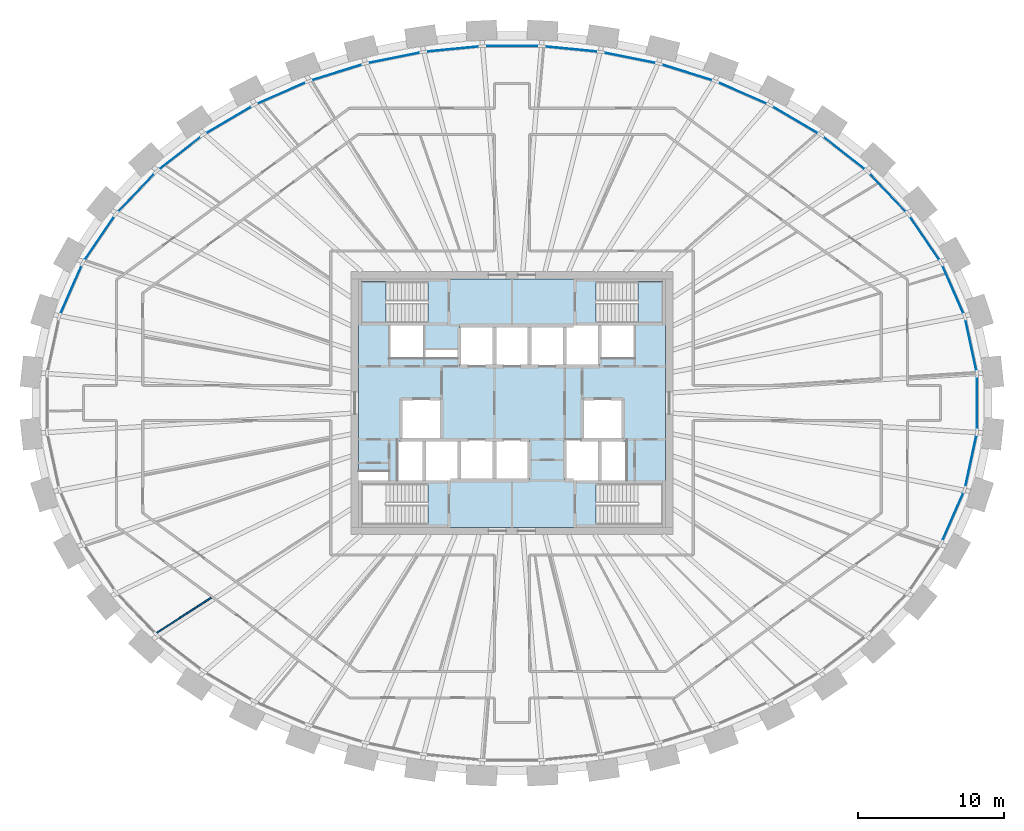
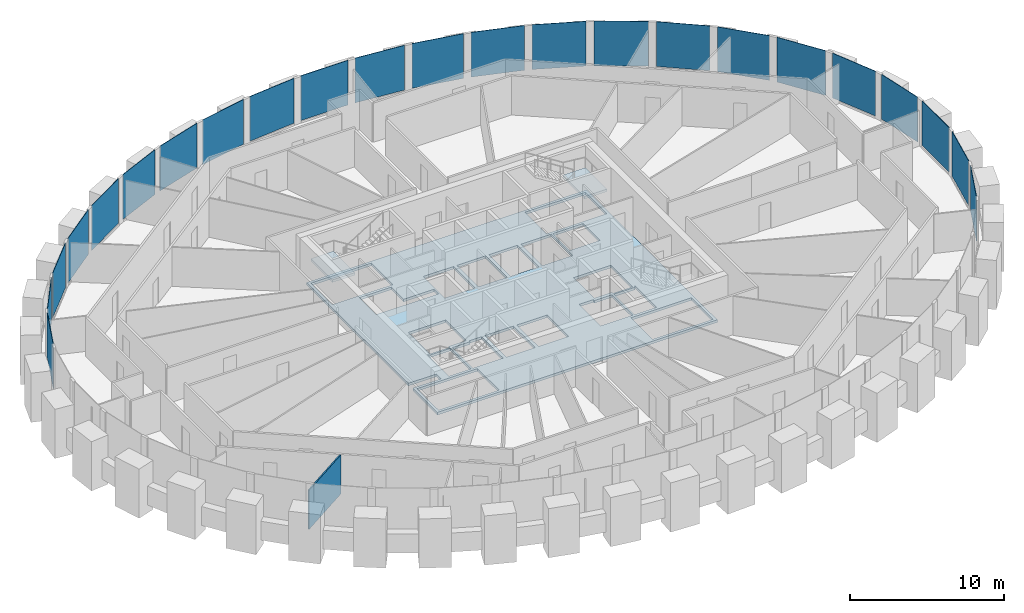
# One storey, part 5 of 12: 23 plates, 3 slabs, 1 wall, 3 elements without a shape of their own.
"""IFC4 building model written with IfcOpenShell, lengths in metres."""

from ifc_helpers import new_model, si_unit, direction, frame, frame_2d, origin, origin_2d, place, context, subcontext, project, spatial, polyline, rectangle, outline, extrude, source, transform, mapped, material, layer, layer_set, type_object, element, aggregate, save


model = new_model("IFC4")

# Units and contexts
model_context = context("Model", 3, precision=1e-05, world=origin(), true_north=direction((0.0, 1.0)))
body_context = subcontext(model_context, "Body", "Model", "MODEL_VIEW")
ifc_project = project(units=[si_unit("LENGTHUNIT", "METRE"), si_unit("AREAUNIT", "SQUARE_METRE"), si_unit("VOLUMEUNIT", "CUBIC_METRE"), si_unit("PLANEANGLEUNIT", "RADIAN"), si_unit("MASSUNIT", "GRAM", prefix="KILO")], contexts=[model_context])

# Site, building, storey
site_placement = place(None, origin())
site = spatial("IfcSite", under=ifc_project, at=site_placement, CompositionType="ELEMENT")
building_placement = place(site_placement, origin())
building = spatial("IfcBuilding", under=site, at=building_placement, Name="Embergate Tower", CompositionType="ELEMENT")
storey_placement = place(building_placement, frame((0.0, 0.0, 261.699951171875)))
storey = spatial("IfcBuildingStorey", under=building, at=storey_placement, Name="L60", CompositionType="ELEMENT", Elevation=261.699951171875)

# Curtain wall, plates
ifc_material_1 = material(Name="Aluminium and glass", Category="aluminium")
curtain_wall_type = type_object("IfcCurtainWallType", Name="Recessed office glazing", PredefinedType="NOTDEFINED", material=ifc_material_1)
curtain_wall_placement = place(storey_placement, origin())
curtain_wall = element("IfcCurtainWall", 1, at=curtain_wall_placement, inside=storey, type_object=curtain_wall_type, Name="Recessed office glazing ring", ObjectType="RECESSED OFFICE GLAZING", PredefinedType="USERDEFINED")
ifc_material_2 = material(Name="Triple glazing, low-emissivity coating", Category="glass")
ifc_layer_1 = layer(ifc_material_2, 0.035888671875)
ifc_layer_set_1 = layer_set([ifc_layer_1], Name="Triple glazing, low-emissivity coating")
plate_type = type_object("IfcPlateType", Name="Office glazing unit", PredefinedType="CURTAIN_PANEL", material=ifc_layer_set_1)
shared_shape_1 = source(origin(), body_context, "Body", "SweptSolid", [
    extrude(rectangle(XDim=3.489013671875, YDim=0.035888671875, at=origin_2d()), origin(), (0.0, 0.0, 1.0), 3.550048828125),
])
plate_1_placement = place(storey_placement, frame((31.380859375, 3.962890625, 0.14990234375), z_axis=(0.0, 0.0, 1.0), x_axis=(-0.210401803698, 0.977614996305, 0.0)))
plate_1 = element("IfcPlate", 2, at=plate_1_placement, type_object=plate_type, Name="CW panel 1.1", PredefinedType="CURTAIN_PANEL", context=body_context, shape_type="MappedRepresentation", body=[
    mapped(shared_shape_1, transform((0.0, 0.0, 0.0))),
])
plate_2_placement = place(storey_placement, frame((31.380859375, -3.962890625, 0.14990234375), z_axis=(0.0, 0.0, 1.0), x_axis=(0.210401803698, 0.977614996305, 0.0)))
plate_2 = element("IfcPlate", 3, at=plate_2_placement, type_object=plate_type, Name="CW panel 43.1", PredefinedType="CURTAIN_PANEL", context=body_context, shape_type="MappedRepresentation", body=[
    mapped(shared_shape_1, transform((0.0, 0.0, 0.0))),
])
shared_shape_2 = source(origin(), body_context, "Body", "SweptSolid", [
    extrude(rectangle(XDim=3.495849609375, YDim=0.035888671875, at=origin_2d()), origin(), (0.0, 0.0, 1.0), 3.550048828125),
])
plate_3_placement = place(storey_placement, frame((30.152587890625, 7.761474609375, 0.14990234375), z_axis=(0.0, 0.0, 1.0), x_axis=(-0.401656896229, 0.915790225822, 0.0)))
plate_3 = element("IfcPlate", 4, at=plate_3_placement, type_object=plate_type, Name="CW panel 2.1", PredefinedType="CURTAIN_PANEL", context=body_context, shape_type="MappedRepresentation", body=[
    mapped(shared_shape_2, transform((0.0, 0.0, 0.0))),
])
plate_4_placement = place(storey_placement, frame((-30.152587890625, 7.761474609375, 0.14990234375), z_axis=(0.0, 0.0, 1.0), x_axis=(-0.401656896229, -0.915790225822, 0.0)))
plate_4 = element("IfcPlate", 5, at=plate_4_placement, type_object=plate_type, Name="CW panel 20.1", PredefinedType="CURTAIN_PANEL", context=body_context, shape_type="MappedRepresentation", body=[
    mapped(shared_shape_2, transform((0.0, 0.0, 0.0))),
])
plate_5_placement = place(storey_placement, frame((30.152587890625, -7.761474609375, 0.14990234375), z_axis=(0.0, 0.0, 1.0), x_axis=(0.401656896229, 0.915790225822, 0.0)))
plate_5 = element("IfcPlate", 6, at=plate_5_placement, type_object=plate_type, Name="CW panel 42.1", PredefinedType="CURTAIN_PANEL", context=body_context, shape_type="MappedRepresentation", body=[
    mapped(shared_shape_2, transform((0.0, 0.0, 0.0))),
])
shared_shape_3 = source(origin(), body_context, "Body", "SweptSolid", [
    extrude(rectangle(XDim=3.504638671875, YDim=0.035888671875, at=origin_2d()), origin(), (0.0, 0.0, 1.0), 3.550048828125),
])
plate_6_placement = place(storey_placement, frame((28.214599609375, 11.264404296875, 0.14990234375), z_axis=(0.0, 0.0, 1.0), x_axis=(-0.562346071572, 0.826901986809, 0.0)))
plate_6 = element("IfcPlate", 7, at=plate_6_placement, type_object=plate_type, Name="CW panel 3.1", PredefinedType="CURTAIN_PANEL", context=body_context, shape_type="MappedRepresentation", body=[
    mapped(shared_shape_3, transform((0.0, 0.0, 0.0))),
])
plate_7_placement = place(storey_placement, frame((-28.214599609375, 11.264404296875, 0.14990234375), z_axis=(0.0, 0.0, 1.0), x_axis=(-0.562346071572, -0.826901986809, 0.0)))
plate_7 = element("IfcPlate", 8, at=plate_7_placement, type_object=plate_type, Name="CW panel 19.1", PredefinedType="CURTAIN_PANEL", context=body_context, shape_type="MappedRepresentation", body=[
    mapped(shared_shape_3, transform((0.0, 0.0, 0.0))),
])
shared_shape_4 = source(origin(), body_context, "Body", "SweptSolid", [
    extrude(rectangle(XDim=3.51318359375, YDim=0.035888671875, at=origin_2d()), origin(), (0.0, 0.0, 1.0), 3.550048828125),
])
plate_8_placement = place(storey_placement, frame((25.691162109375, 14.3876953125, 0.14990234375), z_axis=(0.0, 0.0, 1.0), x_axis=(-0.690137573644, 0.723678194673, 0.0)))
plate_8 = element("IfcPlate", 9, at=plate_8_placement, type_object=plate_type, Name="CW panel 4.1", PredefinedType="CURTAIN_PANEL", context=body_context, shape_type="MappedRepresentation", body=[
    mapped(shared_shape_4, transform((0.0, 0.0, 0.0))),
])
plate_9_placement = place(storey_placement, frame((-25.691162109375, 14.3876953125, 0.14990234375), z_axis=(0.0, 0.0, 1.0), x_axis=(-0.690137573644, -0.723678194673, 0.0)))
plate_9 = element("IfcPlate", 10, at=plate_9_placement, type_object=plate_type, Name="CW panel 18.1", PredefinedType="CURTAIN_PANEL", context=body_context, shape_type="MappedRepresentation", body=[
    mapped(shared_shape_4, transform((0.0, 0.0, 0.0))),
])
shared_shape_5 = source(origin(), body_context, "Body", "SweptSolid", [
    extrude(rectangle(XDim=3.5205078125, YDim=0.035888671875, at=origin_2d()), origin(), (0.0, 0.0, 1.0), 3.550048828125),
])
plate_10_placement = place(storey_placement, frame((22.706787109375, 17.08984375, 0.14990234375), z_axis=(0.0, 0.0, 1.0), x_axis=(-0.788322266931, 0.615262548398, 0.0)))
plate_10 = element("IfcPlate", 11, at=plate_10_placement, type_object=plate_type, Name="CW panel 5.1", PredefinedType="CURTAIN_PANEL", context=body_context, shape_type="MappedRepresentation", body=[
    mapped(shared_shape_5, transform((0.0, 0.0, 0.0))),
])
plate_11_placement = place(storey_placement, frame((-22.706787109375, 17.08984375, 0.14990234375), z_axis=(0.0, 0.0, 1.0), x_axis=(-0.788322266931, -0.615262548398, 0.0)))
plate_11 = element("IfcPlate", 12, at=plate_11_placement, type_object=plate_type, Name="CW panel 17.1", PredefinedType="CURTAIN_PANEL", context=body_context, shape_type="MappedRepresentation", body=[
    mapped(shared_shape_5, transform((0.0, 0.0, 0.0))),
])
shared_shape_6 = source(origin(), body_context, "Body", "SweptSolid", [
    extrude(rectangle(XDim=3.5263671875, YDim=0.035888671875, at=origin_2d()), origin(), (0.0, 0.0, 1.0), 3.550048828125),
])
plate_12_placement = place(storey_placement, frame((19.370361328125, 19.358154296875, 0.14990234375), z_axis=(0.0, 0.0, 1.0), x_axis=(-0.862054936934, 0.506814843614, 0.0)))
plate_12 = element("IfcPlate", 13, at=plate_12_placement, type_object=plate_type, Name="CW panel 6.1", PredefinedType="CURTAIN_PANEL", context=body_context, shape_type="MappedRepresentation", body=[
    mapped(shared_shape_6, transform((0.0, 0.0, 0.0))),
])
plate_13_placement = place(storey_placement, frame((-19.370361328125, 19.358154296875, 0.14990234375), z_axis=(0.0, 0.0, 1.0), x_axis=(-0.862054936934, -0.506814843614, 0.0)))
plate_13 = element("IfcPlate", 14, at=plate_13_placement, type_object=plate_type, Name="CW panel 16.1", PredefinedType="CURTAIN_PANEL", context=body_context, shape_type="MappedRepresentation", body=[
    mapped(shared_shape_6, transform((0.0, 0.0, 0.0))),
])
shared_shape_7 = source(origin(), body_context, "Body", "SweptSolid", [
    extrude(rectangle(XDim=3.53076171875, YDim=0.035888671875, at=origin_2d()), origin(), (0.0, 0.0, 1.0), 3.550048828125),
])
plate_14_placement = place(storey_placement, frame((15.7705078125, 21.195068359375, 0.14990234375), z_axis=(0.0, 0.0, 1.0), x_axis=(-0.916236910986, 0.400636896638, 0.0)))
plate_14 = element("IfcPlate", 15, at=plate_14_placement, type_object=plate_type, Name="CW panel 7.1", PredefinedType="CURTAIN_PANEL", context=body_context, shape_type="MappedRepresentation", body=[
    mapped(shared_shape_7, transform((0.0, 0.0, 0.0))),
])
plate_15_placement = place(storey_placement, frame((-15.7705078125, 21.195068359375, 0.14990234375), z_axis=(0.0, 0.0, 1.0), x_axis=(-0.916236910986, -0.400636896638, 0.0)))
plate_15 = element("IfcPlate", 16, at=plate_15_placement, type_object=plate_type, Name="CW panel 15.1", PredefinedType="CURTAIN_PANEL", context=body_context, shape_type="MappedRepresentation", body=[
    mapped(shared_shape_7, transform((0.0, 0.0, 0.0))),
])
shared_shape_8 = source(origin(), body_context, "Body", "SweptSolid", [
    extrude(rectangle(XDim=3.533935546875, YDim=0.035888671875, at=origin_2d()), origin(), (0.0, 0.0, 1.0), 3.550048828125),
])
plate_16_placement = place(storey_placement, frame((11.9794921875, 22.609130859375, 0.14990234375), z_axis=(0.0, 0.0, 1.0), x_axis=(-0.954772736126, 0.297336547283, 0.0)))
plate_16 = element("IfcPlate", 17, at=plate_16_placement, type_object=plate_type, Name="CW panel 8.1", PredefinedType="CURTAIN_PANEL", context=body_context, shape_type="MappedRepresentation", body=[
    mapped(shared_shape_8, transform((0.0, 0.0, 0.0))),
])
plate_17_placement = place(storey_placement, frame((-11.9794921875, 22.609130859375, 0.14990234375), z_axis=(0.0, 0.0, 1.0), x_axis=(-0.954772736126, -0.297336547283, 0.0)))
plate_17 = element("IfcPlate", 18, at=plate_17_placement, type_object=plate_type, Name="CW panel 14.1", PredefinedType="CURTAIN_PANEL", context=body_context, shape_type="MappedRepresentation", body=[
    mapped(shared_shape_8, transform((0.0, 0.0, 0.0))),
])
shared_shape_9 = source(origin(), body_context, "Body", "SweptSolid", [
    extrude(rectangle(XDim=3.5361328125, YDim=0.035888671875, at=origin_2d()), origin(), (0.0, 0.0, 1.0), 3.550048828125),
])
plate_18_placement = place(storey_placement, frame((8.055419921875, 23.610595703125, 0.14990234375), z_axis=(0.0, 0.0, 1.0), x_axis=(-0.980475907409, 0.196639250889, 0.0)))
plate_18 = element("IfcPlate", 19, at=plate_18_placement, type_object=plate_type, Name="CW panel 9.1", PredefinedType="CURTAIN_PANEL", context=body_context, shape_type="MappedRepresentation", body=[
    mapped(shared_shape_9, transform((0.0, 0.0, 0.0))),
])
plate_19_placement = place(storey_placement, frame((-8.055419921875, 23.610595703125, 0.14990234375), z_axis=(0.0, 0.0, 1.0), x_axis=(-0.980475907409, -0.196639250889, 0.0)))
plate_19 = element("IfcPlate", 20, at=plate_19_placement, type_object=plate_type, Name="CW panel 13.1", PredefinedType="CURTAIN_PANEL", context=body_context, shape_type="MappedRepresentation", body=[
    mapped(shared_shape_9, transform((0.0, 0.0, 0.0))),
])
shared_shape_10 = source(origin(), body_context, "Body", "SweptSolid", [
    extrude(rectangle(XDim=3.53759765625, YDim=0.035888671875, at=origin_2d()), origin(), (0.0, 0.0, 1.0), 3.550048828125),
])
plate_20_placement = place(storey_placement, frame((4.048095703125, 24.2080078125, 0.14990234375), z_axis=(0.0, 0.0, 1.0), x_axis=(-0.995203184788, 0.097829550688, 0.0)))
plate_20 = element("IfcPlate", 21, at=plate_20_placement, type_object=plate_type, Name="CW panel 10.1", PredefinedType="CURTAIN_PANEL", context=body_context, shape_type="MappedRepresentation", body=[
    mapped(shared_shape_10, transform((0.0, 0.0, 0.0))),
])
plate_21_placement = place(storey_placement, frame((-4.048095703125, 24.2080078125, 0.14990234375), z_axis=(0.0, 0.0, 1.0), x_axis=(-0.995203184788, -0.097829550688, 0.0)))
plate_21 = element("IfcPlate", 22, at=plate_21_placement, type_object=plate_type, Name="CW panel 12.1", PredefinedType="CURTAIN_PANEL", context=body_context, shape_type="MappedRepresentation", body=[
    mapped(shared_shape_10, transform((0.0, 0.0, 0.0))),
])
shared_shape_11 = source(origin(), body_context, "Body", "SweptSolid", [
    extrude(rectangle(XDim=3.537841796875, YDim=0.035888671875, at=origin_2d()), origin(), (0.0, 0.0, 1.0), 3.550048828125),
])
plate_22_placement = place(storey_placement, frame((0.0, 24.406494140625, 0.14990234375), z_axis=(0.0, 0.0, 1.0), x_axis=(-1.0, 0.0, 0.0)))
plate_22 = element("IfcPlate", 23, at=plate_22_placement, type_object=plate_type, Name="CW panel 11.1", PredefinedType="CURTAIN_PANEL", context=body_context, shape_type="MappedRepresentation", body=[
    mapped(shared_shape_11, transform((0.0, 0.0, 0.0))),
])
shared_shape_12 = source(origin(), body_context, "Body", "SweptSolid", [
    extrude(rectangle(XDim=3.486572265625, YDim=0.035888671875, at=origin_2d()), origin(), (0.0, 0.0, 1.0), 3.550048828125),
])
plate_23_placement = place(storey_placement, frame((31.802490234375, 0.0, 0.14990234375), z_axis=(0.0, 0.0, 1.0), x_axis=(0.0, 1.0, 0.0)))
plate_23 = element("IfcPlate", 24, at=plate_23_placement, type_object=plate_type, Name="CW panel 44.1", PredefinedType="CURTAIN_PANEL", context=body_context, shape_type="MappedRepresentation", body=[
    mapped(shared_shape_12, transform((0.0, 0.0, 0.0))),
])
aggregate(curtain_wall, [plate_1, plate_3, plate_6, plate_8, plate_10, plate_12, plate_14, plate_16, plate_18, plate_20, plate_22, plate_21, plate_19, plate_17, plate_15, plate_13, plate_11, plate_9, plate_7, plate_4, plate_5, plate_2, plate_23])

# Stair, slab
ifc_material_3 = material(Name="Exit stair")
stair_type = type_object("IfcStairType", Name="Exit stair", PredefinedType="HALF_TURN_STAIR", material=ifc_material_3)
stair_1_placement = place(storey_placement, origin())
stair_1 = element("IfcStair", 25, at=stair_1_placement, inside=storey, type_object=stair_type, Name="L60 Exit stair 1", PredefinedType="HALF_TURN_STAIR")
ifc_material_4 = material(Name="Concrete C40", Category="concrete")
ifc_layer_2 = layer(ifc_material_4, 0.199951171875)
ifc_layer_set_2 = layer_set([ifc_layer_2], Name="Concrete C40")
slab_type_1 = type_object("IfcSlabType", Name="Stair landing reinforced concrete", PredefinedType="LANDING", material=ifc_layer_set_2)
shared_shape_13 = source(origin(), body_context, "Body", "SweptSolid", [
    extrude(outline(polyline([(0.0, 0.0), (1.68994140625, 0.0), (1.68994140625, 2.800048828125), (0.0, 2.800048828125), (0.0, 0.0)])), origin(), (0.0, 0.0, 1.0), 0.199951171875),
])
slab_1_placement = place(storey_placement, frame((-10.300048828125, 5.5, 1.75)))
slab_1 = element("IfcSlab", 26, at=slab_1_placement, type_object=slab_type_1, Name="ST1 landing 1", PredefinedType="LANDING", context=body_context, shape_type="MappedRepresentation", body=[
    mapped(shared_shape_13, transform((0.0, 0.0, 0.0))),
])
aggregate(stair_1, [slab_1])

stair_2_placement = place(storey_placement, origin())
stair_2 = element("IfcStair", 27, at=stair_2_placement, inside=storey, type_object=stair_type, Name="L60 Exit stair 2", PredefinedType="HALF_TURN_STAIR")
slab_2_placement = place(storey_placement, frame((8.610107421875, 5.5, 1.75)))
slab_2 = element("IfcSlab", 28, at=slab_2_placement, type_object=slab_type_1, Name="ST2 landing 1", PredefinedType="LANDING", context=body_context, shape_type="MappedRepresentation", body=[
    mapped(shared_shape_13, transform((0.0, 0.0, 0.0))),
])
aggregate(stair_2, [slab_2])

# Slab
ifc_layer_3 = layer(ifc_material_4, 0.199951171875)
ifc_layer_set_3 = layer_set([ifc_layer_3], Name="Concrete C40")
slab_type_2 = type_object("IfcSlabType", Name="Core floor slab 200 reinforced concrete", PredefinedType="FLOOR", material=ifc_layer_set_3)
shared_shape_14 = source(origin(), body_context, "Body", "SweptSolid", [
    extrude(outline(polyline([(0.0, 0.0), (21.0, 0.0), (21.0, 17.0), (0.0, 17.0), (0.0, 3.803955078125), (2.10009765625, 3.803955078125), (2.10009765625, 3.199951171875), (0.0, 3.199951171875), (0.0, 0.0)]), holes=[polyline([(0.199951171875, 0.199951171875), (0.199951171875, 3.0), (4.739990234375, 3.0), (4.739990234375, 0.199951171875), (0.199951171875, 0.199951171875)]), polyline([(16.260009765625, 0.199951171875), (16.260009765625, 3.0), (20.800048828125, 3.0), (20.800048828125, 0.199951171875), (16.260009765625, 0.199951171875)]), polyline([(2.699951171875, 3.199951171875), (2.699951171875, 6.0), (2.77490234375, 6.0), (2.77490234375, 5.875), (4.375, 5.875), (4.375, 3.199951171875), (2.699951171875, 3.199951171875)]), polyline([(4.5, 3.199951171875), (4.5, 5.875), (5.824951171875, 5.875), (5.824951171875, 6.0), (6.77490234375, 6.0), (6.77490234375, 3.199951171875), (4.5, 3.199951171875)]), polyline([(7.02490234375, 3.199951171875), (7.02490234375, 6.0), (9.175048828125, 6.0), (9.175048828125, 3.199951171875), (7.02490234375, 3.199951171875)]), polyline([(9.425048828125, 3.199951171875), (9.425048828125, 6.0), (11.699951171875, 6.0), (11.699951171875, 3.199951171875), (9.425048828125, 3.199951171875)]), polyline([(14.10009765625, 3.199951171875), (14.10009765625, 6.0), (15.175048828125, 6.0), (15.175048828125, 5.875), (16.5, 5.875), (16.5, 3.199951171875), (14.10009765625, 3.199951171875)]), polyline([(16.625, 3.199951171875), (16.625, 5.875), (18.22509765625, 5.875), (18.22509765625, 6.0), (18.300048828125, 6.0), (18.300048828125, 3.199951171875), (16.625, 3.199951171875)]), polyline([(2.89990234375, 6.0), (2.89990234375, 8.800048828125), (5.699951171875, 8.800048828125), (5.699951171875, 6.125), (4.375, 6.125), (4.375, 6.0), (2.89990234375, 6.0)]), polyline([(16.625, 6.0), (16.625, 6.125), (15.300048828125, 6.125), (15.300048828125, 8.800048828125), (18.10009765625, 8.800048828125), (18.10009765625, 6.0), (16.625, 6.0)]), polyline([(6.89990234375, 11.0), (6.89990234375, 13.800048828125), (9.175048828125, 13.800048828125), (9.175048828125, 11.0), (6.89990234375, 11.0)]), polyline([(9.425048828125, 11.0), (9.425048828125, 13.800048828125), (11.574951171875, 13.800048828125), (11.574951171875, 11.0), (9.425048828125, 11.0)]), polyline([(11.824951171875, 11.0), (11.824951171875, 13.800048828125), (13.97509765625, 13.800048828125), (13.97509765625, 11.0), (11.824951171875, 11.0)]), polyline([(14.22509765625, 11.0), (14.22509765625, 13.800048828125), (16.5, 13.800048828125), (16.5, 11.0), (14.22509765625, 11.0)]), polyline([(2.10009765625, 11.60009765625), (2.10009765625, 13.800048828125), (4.5, 13.800048828125), (4.5, 12.2041015625), (6.77490234375, 12.2041015625), (6.77490234375, 11.60009765625), (4.5, 11.60009765625), (2.10009765625, 11.60009765625)]), polyline([(16.625, 11.60009765625), (16.625, 13.800048828125), (18.89990234375, 13.800048828125), (18.89990234375, 11.60009765625), (16.625, 11.60009765625)]), polyline([(0.199951171875, 14.0), (0.199951171875, 16.800048828125), (4.739990234375, 16.800048828125), (4.739990234375, 14.0), (0.199951171875, 14.0)]), polyline([(16.260009765625, 14.0), (16.260009765625, 16.800048828125), (20.800048828125, 16.800048828125), (20.800048828125, 14.0), (16.260009765625, 14.0)])]), origin(), (0.0, 0.0, 1.0), 0.199951171875),
])
slab_3_placement = place(storey_placement, frame((-10.5, -8.5, -0.199951171875)))
element("IfcSlab", 29, at=slab_3_placement, inside=storey, type_object=slab_type_2, Name="Core floor slab", PredefinedType="FLOOR", context=body_context, shape_type="MappedRepresentation", body=[
    mapped(shared_shape_14, transform((0.0, 0.0, 0.0))),
])

# Wall
ifc_material_5 = material(Name="Partition dry-lined 100")
ifc_layer_4 = layer(ifc_material_5, 0.10009765625)
ifc_layer_set_4 = layer_set([ifc_layer_4], Name="Partition dry-lined 100")
wall_type = type_object("IfcWallType", Name="Partition dry-lined 100", PredefinedType="PARTITIONING", material=ifc_layer_set_4)
shared_shape_15 = source(origin(), body_context, "Body", "SweptSolid", [
    extrude(rectangle(XDim=4.518798828125, YDim=0.10009765625, at=frame_2d((2.25927734375, 0.0))), origin(), (0.0, 0.0, 1.0), 3.10009765625),
])
wall_placement = place(storey_placement, frame((-20.576904296875, -13.31201171875, 0.0), z_axis=(0.0, 0.0, 1.0), x_axis=(-0.839667264455, -0.543101173818, 0.0)))
element("IfcWall", 30, at=wall_placement, inside=storey, type_object=wall_type, Name="IP-1 wall", PredefinedType="PARTITIONING", context=body_context, shape_type="MappedRepresentation", body=[
    mapped(shared_shape_15, transform((0.0, 0.0, 0.0))),
])

save(model, "model.ifc")
